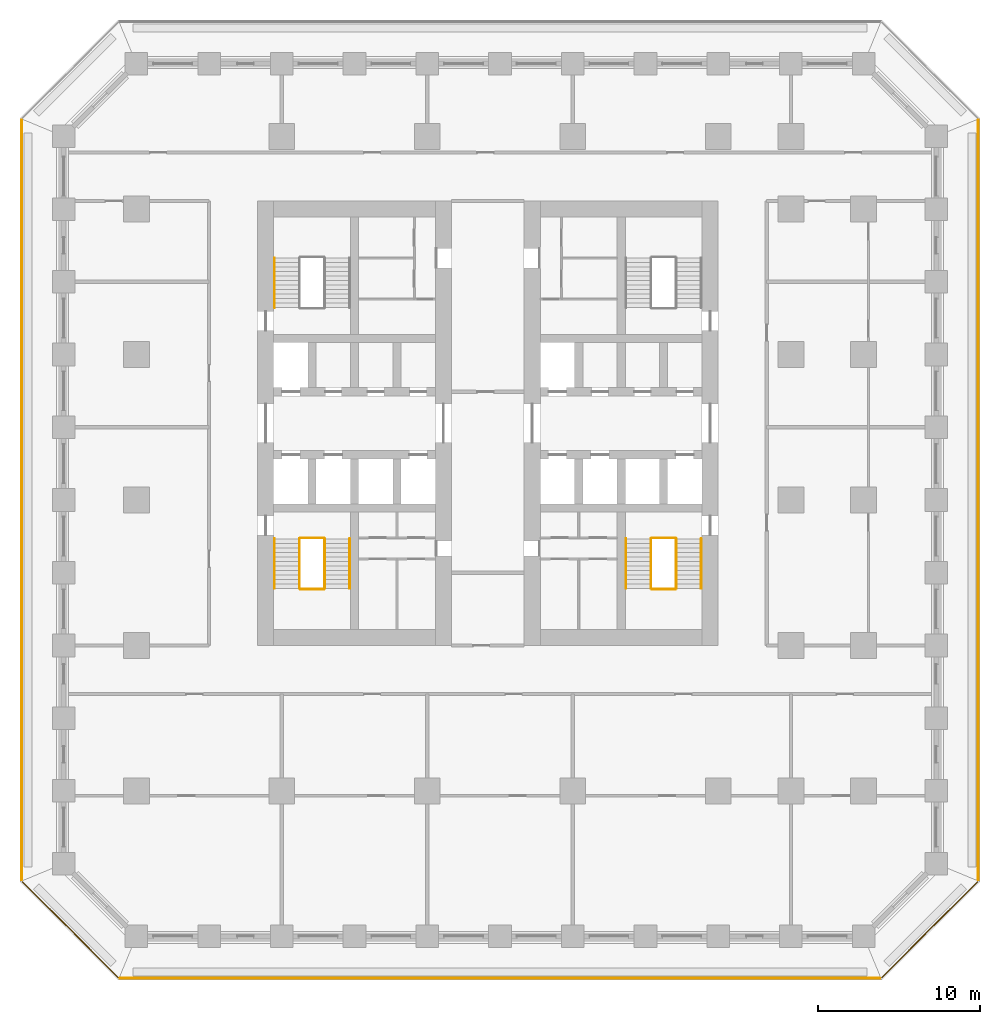
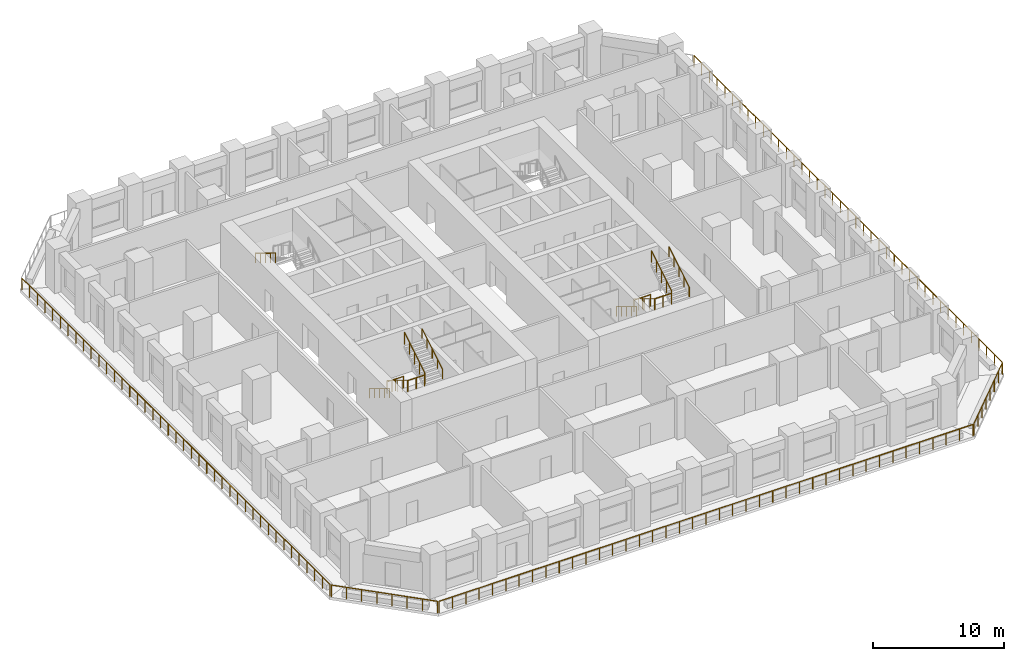
# One storey, part 9 of 11: 18 railings.
"""IFC4 building model written with IfcOpenShell, lengths in metres."""

import ifcopenshell
import ifcopenshell.guid

model = None  # the IFC model being written
_history = None  # IfcOwnerHistory: only IFC2X3 demands one
_inside = {}  # id of a spatial element -> (the spatial element, [elements in it])
_under = {}  # id of a project, library or spatial element -> (it, [spatial elements below it])
_declared = {}  # id of a project -> (the project, [libraries it declares])
_typed = {}  # id of a type object -> (the type object, [elements of that type])
_made_of = {}  # id of a material, layer set ... -> (it, [elements and type objects made of it])


def new_model(schema):
    """Start an empty IFC model of exactly this schema.

    Asked for "IFC4X3", IfcOpenShell would pick the latest addendum, in which some entities
    have other attributes; the version numbers below select the first issue.
    IFC2X3 requires an IfcOwnerHistory on every rooted entity: one is made here for all.
    """
    global model, _history
    if schema == "IFC4X3":
        model = ifcopenshell.file(schema_version=(4, 3, 0, 0))
    else:
        model = ifcopenshell.file(schema=schema)
    _inside.clear()
    _under.clear()
    _declared.clear()
    _typed.clear()
    _made_of.clear()
    _history = None
    if model.schema == "IFC2X3":
        org = make("IfcOrganization", Name="unknown")
        user = make(
            "IfcPersonAndOrganization",
            ThePerson=make("IfcPerson", FamilyName="unknown"),
            TheOrganization=org,
        )
        app = make(
            "IfcApplication",
            ApplicationDeveloper=org,
            Version="unknown",
            ApplicationFullName="unknown",
            ApplicationIdentifier="unknown",
        )
        _history = make(
            "IfcOwnerHistory",
            OwningUser=user,
            OwningApplication=app,
            ChangeAction="ADDED",
            CreationDate=0,
        )
    return model


def make(cls, **values):
    """One entity of the class cls with the attributes given. An attribute that is None is left unset."""
    return model.create_entity(
        cls, **{name: value for name, value in values.items() if value is not None}
    )


def rooted(cls, **values):
    """An entity with a GlobalId (a new one), such as an element, a storey or a relation."""
    return make(cls, GlobalId=ifcopenshell.guid.new(), OwnerHistory=_history, **values)


def si_unit(unit_type, name, prefix=None):
    """IfcSIUnit, for example si_unit("LENGTHUNIT", "METRE", prefix="MILLI")."""
    return make("IfcSIUnit", UnitType=unit_type, Prefix=prefix, Name=name)


def assignment(units):
    """IfcUnitAssignment: the units of a project."""
    return None if units is None else make("IfcUnitAssignment", Units=units)


def point(xyz):
    """IfcCartesianPoint."""
    return None if xyz is None else make("IfcCartesianPoint", Coordinates=xyz)


def direction(xyz):
    """IfcDirection."""
    return None if xyz is None else make("IfcDirection", DirectionRatios=xyz)


def frame(location, z_axis=None, x_axis=None):
    """IfcAxis2Placement3D, a coordinate frame: its origin and axes. An axis left out is left unset."""
    return make(
        "IfcAxis2Placement3D",
        Location=point(location),
        Axis=direction(z_axis),
        RefDirection=direction(x_axis),
    )


def frame_2d(location, x_axis=None):
    """IfcAxis2Placement2D, a coordinate frame in the plane: its origin and x axis."""
    return make(
        "IfcAxis2Placement2D", Location=point(location), RefDirection=direction(x_axis)
    )


def origin():
    """The frame at (0, 0, 0) with its axes left unset."""
    return frame((0.0, 0.0, 0.0))


def origin_2d():
    """The frame at (0, 0) in the plane with its x axis left unset."""
    return frame_2d((0.0, 0.0))


def place(relative_to, where):
    """IfcLocalPlacement: puts the frame where relative to a parent placement (None: the world)."""
    return make(
        "IfcLocalPlacement", PlacementRelTo=relative_to, RelativePlacement=where
    )


def context(
    kind, dimensions, precision=None, world=None, true_north=None, identifier=None
):
    """IfcGeometricRepresentationContext, for example the 3D "Model" context."""
    return make(
        "IfcGeometricRepresentationContext",
        ContextIdentifier=identifier,
        ContextType=kind,
        CoordinateSpaceDimension=dimensions,
        Precision=precision,
        WorldCoordinateSystem=world,
        TrueNorth=true_north,
    )


def subcontext(parent, identifier, kind, view, scale=None):
    """IfcGeometricRepresentationSubContext, for example "Body" below "Model"."""
    return make(
        "IfcGeometricRepresentationSubContext",
        ContextIdentifier=identifier,
        ContextType=kind,
        ParentContext=parent,
        TargetScale=scale,
        TargetView=view,
    )


def project(units=None, contexts=None):
    """IfcProject with its units and contexts."""
    return rooted(
        "IfcProject",
        Name="project",
        RepresentationContexts=contexts,
        UnitsInContext=assignment(units),
    )


def spatial(cls, under=None, at=None, **own):
    """A site, building, storey or space (cls), placed at a placement, below another one or the project."""
    s = rooted(cls, ObjectPlacement=at, **own)
    if under is not None:
        _under.setdefault(under.id(), (under, []))[1].append(s)
    return s


def profile(cls, at=None, kind="AREA", **sizes):
    """A parametric profile (cls). Its sizes go by their IFC names, for example OverallWidth=200.0."""
    return make(cls, ProfileType=kind, Position=at, **sizes)


def circle(**sizes):
    """IfcCircleProfileDef."""
    return profile("IfcCircleProfileDef", **sizes)


def extrude(swept, where, along, depth):
    """IfcExtrudedAreaSolid: the profile swept, set in the frame where, extruded along a direction by depth."""
    return make(
        "IfcExtrudedAreaSolid",
        SweptArea=swept,
        Position=where,
        ExtrudedDirection=direction(along),
        Depth=depth,
    )


def shape(context_of_items, identifier, shape_type, items):
    """IfcShapeRepresentation: the items that make up one representation, for example the "Body"."""
    return make(
        "IfcShapeRepresentation",
        ContextOfItems=context_of_items,
        RepresentationIdentifier=identifier,
        RepresentationType=shape_type,
        Items=items,
    )


def material(Name=None, Category=None):
    """IfcMaterial."""
    return make("IfcMaterial", Name=Name, Category=Category)


def made_of(thing, what):
    """Note that an element or type object is made of a material, layer set ...; save() writes the relation."""
    if what is not None:
        _made_of.setdefault(what.id(), (what, []))[1].append(thing)
    return thing


def type_object(cls, material=None, **own):
    """A type object (cls), such as IfcWallType, which elements share."""
    return made_of(rooted(cls, **own), material)


def element(
    cls,
    number,
    at=None,
    inside=None,
    cuts=None,
    type_object=None,
    material=None,
    context=None,
    identifier="Body",
    shape_type=None,
    held_by="IfcProductDefinitionShape",
    body=None,
    shapes=None,
    **own,
):
    """One element of the class cls, such as IfcWall. Its Tag is "e" and its number.

    at: its placement. inside: the storey or other place that contains it. cuts: it is an
    opening in that element (IfcRelVoidsElement). A single representation is given by context,
    identifier, shape_type and body (its items); several are given by shapes. held_by: the class
    of the entity that holds the representations. save() writes the other relations.
    """
    e = rooted(cls, Tag="e%d" % number, ObjectPlacement=at, **own)
    if body is not None:
        shapes = [shape(context, identifier, shape_type, body)]
    if shapes is not None:
        e.Representation = make(held_by, Representations=shapes)
    if inside is not None:
        _inside.setdefault(inside.id(), (inside, []))[1].append(e)
    if cuts is not None:
        rooted(
            "IfcRelVoidsElement", RelatingBuildingElement=cuts, RelatedOpeningElement=e
        )
    if type_object is not None:
        _typed.setdefault(type_object.id(), (type_object, []))[1].append(e)
    return made_of(e, material)


def aggregate(whole, parts):
    """IfcRelAggregates: a whole, such as a stair, and the parts it consists of."""
    return rooted("IfcRelAggregates", RelatingObject=whole, RelatedObjects=parts)


def save(model, path):
    """Write the relations noted so far, then the file.

    IfcRelAggregates (storeys below a building ...), IfcRelContainedInSpatialStructure (elements
    in a storey), IfcRelDefinesByType, IfcRelAssociatesMaterial and IfcRelDeclares: one each for
    every whole, place, type object, material and project.
    """
    for whole, parts in _under.values():
        aggregate(whole, parts)
    for where, things in _inside.values():
        rooted(
            "IfcRelContainedInSpatialStructure",
            RelatedElements=things,
            RelatingStructure=where,
        )
    for kind, things in _typed.values():
        rooted("IfcRelDefinesByType", RelatedObjects=things, RelatingType=kind)
    for what, things in _made_of.values():
        rooted("IfcRelAssociatesMaterial", RelatedObjects=things, RelatingMaterial=what)
    for by, libraries in _declared.values():
        rooted("IfcRelDeclares", RelatingContext=by, RelatedDefinitions=libraries)
    model.write(path)


model = new_model("IFC4")

# Units and contexts
model_context = context("Model", 3, precision=1e-05, world=origin(), true_north=direction((0.0, 1.0)))
body_context = subcontext(model_context, "Body", "Model", "MODEL_VIEW")
ifc_project = project(units=[si_unit("LENGTHUNIT", "METRE"), si_unit("AREAUNIT", "SQUARE_METRE"), si_unit("VOLUMEUNIT", "CUBIC_METRE"), si_unit("PLANEANGLEUNIT", "RADIAN"), si_unit("MASSUNIT", "GRAM", prefix="KILO")], contexts=[model_context])

# Site, building, storey
site_placement = place(None, origin())
site = spatial("IfcSite", under=ifc_project, at=site_placement, CompositionType="ELEMENT")
building_placement = place(site_placement, origin())
building = spatial("IfcBuilding", under=site, at=building_placement, Name="Corbel Stack Research Tower", CompositionType="ELEMENT")
storey_placement = place(building_placement, frame((0.0, 0.0, 62.39990234375)))
storey = spatial("IfcBuildingStorey", under=building, at=storey_placement, Name="L14", CompositionType="ELEMENT", Elevation=62.39990234375)

# Railings
ifc_material_1 = material(Name="Steel S355", Category="steel")
railing_type_1 = type_object("IfcRailingType", Name="Stair guard 1100", PredefinedType="GUARDRAIL", material=ifc_material_1)
railing_1_placement = place(storey_placement, frame((-7.89990234375, -2.39990234375, 0.1708984375)))
element("IfcRailing", 1, at=railing_1_placement, inside=storey, type_object=railing_type_1, Name="L14 ST-W1 stair guard 1", PredefinedType="GUARDRAIL", context=body_context, shape_type="SweptSolid", body=[
    extrude(circle(Radius=0.02392578125, at=origin_2d()), frame((0.0, 0.0, 1.076171875), z_axis=(0.0, -0.853666305674, 0.52082035152), x_axis=(1.0, 0.0, 0.0)), (0.0, 0.0, 1.0), 3.608154296875),
    extrude(circle(Radius=0.02099609375, at=origin_2d()), origin(), (0.0, 0.0, 1.0), 1.052001953125),
    extrude(circle(Radius=0.02099609375, at=origin_2d()), frame((0.0, -0.77001953125, 0.4697265625)), (0.0, 0.0, 1.0), 1.052001953125),
    extrude(circle(Radius=0.02099609375, at=origin_2d()), frame((0.0, -1.5400390625, 0.939453125)), (0.0, 0.0, 1.0), 1.052001953125),
    extrude(circle(Radius=0.02099609375, at=origin_2d()), frame((0.0, -2.31005859375, 1.409423828125)), (0.0, 0.0, 1.0), 1.052001953125),
    extrude(circle(Radius=0.02099609375, at=origin_2d()), frame((0.0, -3.080078125, 1.879150390625)), (0.0, 0.0, 1.0), 1.052001953125),
])
railing_2_placement = place(storey_placement, frame((-7.85009765625, -5.530029296875, 2.050048828125)))
element("IfcRailing", 2, at=railing_2_placement, inside=storey, type_object=railing_type_1, Name="L14 ST-W1 stair guard 2", PredefinedType="GUARDRAIL", context=body_context, shape_type="SweptSolid", body=[
    extrude(circle(Radius=0.02392578125, at=origin_2d()), frame((0.0, 0.0, 1.076171875), z_axis=(1.0, 0.0, 0.0), x_axis=(0.0, 1.0, 0.0)), (0.0, 0.0, 1.0), 1.4501953125),
    extrude(circle(Radius=0.02099609375, at=origin_2d()), origin(), (0.0, 0.0, 1.0), 1.052001953125),
    extrude(circle(Radius=0.02099609375, at=origin_2d()), frame((0.72509765625, 0.0, 0.0)), (0.0, 0.0, 1.0), 1.052001953125),
    extrude(circle(Radius=0.02099609375, at=origin_2d()), frame((1.4501953125, 0.0, 0.0)), (0.0, 0.0, 1.0), 1.052001953125),
])
railing_3_placement = place(storey_placement, frame((-6.35009765625, -5.47998046875, 2.220947265625)))
element("IfcRailing", 3, at=railing_3_placement, inside=storey, type_object=railing_type_1, Name="L14 ST-W1 stair guard 3", PredefinedType="GUARDRAIL", context=body_context, shape_type="SweptSolid", body=[
    extrude(circle(Radius=0.02392578125, at=origin_2d()), frame((0.0, 0.0, 1.076171875), z_axis=(0.0, 0.853666305674, 0.52082035152), x_axis=(-1.0, 0.0, 0.0)), (0.0, 0.0, 1.0), 3.608154296875),
    extrude(circle(Radius=0.02099609375, at=origin_2d()), origin(), (0.0, 0.0, 1.0), 1.052001953125),
    extrude(circle(Radius=0.02099609375, at=origin_2d()), frame((0.0, 0.77001953125, 0.4697265625)), (0.0, 0.0, 1.0), 1.052001953125),
    extrude(circle(Radius=0.02099609375, at=origin_2d()), frame((0.0, 1.5400390625, 0.939453125)), (0.0, 0.0, 1.0), 1.052001953125),
    extrude(circle(Radius=0.02099609375, at=origin_2d()), frame((0.0, 2.31005859375, 1.409423828125)), (0.0, 0.0, 1.0), 1.052001953125),
    extrude(circle(Radius=0.02099609375, at=origin_2d()), frame((0.0, 3.080078125, 1.879150390625)), (0.0, 0.0, 1.0), 1.052001953125),
])
railing_4_placement = place(storey_placement, frame((-7.85009765625, -2.35009765625, 0.0)))
element("IfcRailing", 4, at=railing_4_placement, inside=storey, type_object=railing_type_1, Name="L14 ST-W1 stair guard 4", PredefinedType="GUARDRAIL", context=body_context, shape_type="SweptSolid", body=[
    extrude(circle(Radius=0.02392578125, at=origin_2d()), frame((0.0, 0.0, 1.076171875), z_axis=(1.0, 0.0, 0.0), x_axis=(0.0, 1.0, 0.0)), (0.0, 0.0, 1.0), 1.4501953125),
    extrude(circle(Radius=0.02099609375, at=origin_2d()), origin(), (0.0, 0.0, 1.0), 1.052001953125),
    extrude(circle(Radius=0.02099609375, at=origin_2d()), frame((0.72509765625, 0.0, 0.0)), (0.0, 0.0, 1.0), 1.052001953125),
    extrude(circle(Radius=0.02099609375, at=origin_2d()), frame((1.4501953125, 0.0, 0.0)), (0.0, 0.0, 1.0), 1.052001953125),
])
railing_5_placement = place(storey_placement, frame((13.85009765625, -2.39990234375, 0.1708984375)))
element("IfcRailing", 5, at=railing_5_placement, inside=storey, type_object=railing_type_1, Name="L14 ST-E1 stair guard 1", PredefinedType="GUARDRAIL", context=body_context, shape_type="SweptSolid", body=[
    extrude(circle(Radius=0.02392578125, at=origin_2d()), frame((0.0, 0.0, 1.076171875), z_axis=(0.0, -0.853666305674, 0.52082035152), x_axis=(1.0, 0.0, 0.0)), (0.0, 0.0, 1.0), 3.608154296875),
    extrude(circle(Radius=0.02099609375, at=origin_2d()), origin(), (0.0, 0.0, 1.0), 1.052001953125),
    extrude(circle(Radius=0.02099609375, at=origin_2d()), frame((0.0, -0.77001953125, 0.4697265625)), (0.0, 0.0, 1.0), 1.052001953125),
    extrude(circle(Radius=0.02099609375, at=origin_2d()), frame((0.0, -1.5400390625, 0.939453125)), (0.0, 0.0, 1.0), 1.052001953125),
    extrude(circle(Radius=0.02099609375, at=origin_2d()), frame((0.0, -2.31005859375, 1.409423828125)), (0.0, 0.0, 1.0), 1.052001953125),
    extrude(circle(Radius=0.02099609375, at=origin_2d()), frame((0.0, -3.080078125, 1.879150390625)), (0.0, 0.0, 1.0), 1.052001953125),
])
railing_6_placement = place(storey_placement, frame((13.89990234375, -5.530029296875, 2.050048828125)))
element("IfcRailing", 6, at=railing_6_placement, inside=storey, type_object=railing_type_1, Name="L14 ST-E1 stair guard 2", PredefinedType="GUARDRAIL", context=body_context, shape_type="SweptSolid", body=[
    extrude(circle(Radius=0.02392578125, at=origin_2d()), frame((0.0, 0.0, 1.076171875), z_axis=(1.0, 0.0, 0.0), x_axis=(0.0, 1.0, 0.0)), (0.0, 0.0, 1.0), 1.4501953125),
    extrude(circle(Radius=0.02099609375, at=origin_2d()), origin(), (0.0, 0.0, 1.0), 1.052001953125),
    extrude(circle(Radius=0.02099609375, at=origin_2d()), frame((0.72509765625, 0.0, 0.0)), (0.0, 0.0, 1.0), 1.052001953125),
    extrude(circle(Radius=0.02099609375, at=origin_2d()), frame((1.4501953125, 0.0, 0.0)), (0.0, 0.0, 1.0), 1.052001953125),
])
railing_7_placement = place(storey_placement, frame((15.39990234375, -5.47998046875, 2.220947265625)))
element("IfcRailing", 7, at=railing_7_placement, inside=storey, type_object=railing_type_1, Name="L14 ST-E1 stair guard 3", PredefinedType="GUARDRAIL", context=body_context, shape_type="SweptSolid", body=[
    extrude(circle(Radius=0.02392578125, at=origin_2d()), frame((0.0, 0.0, 1.076171875), z_axis=(0.0, 0.853666305674, 0.52082035152), x_axis=(-1.0, 0.0, 0.0)), (0.0, 0.0, 1.0), 3.608154296875),
    extrude(circle(Radius=0.02099609375, at=origin_2d()), origin(), (0.0, 0.0, 1.0), 1.052001953125),
    extrude(circle(Radius=0.02099609375, at=origin_2d()), frame((0.0, 0.77001953125, 0.4697265625)), (0.0, 0.0, 1.0), 1.052001953125),
    extrude(circle(Radius=0.02099609375, at=origin_2d()), frame((0.0, 1.5400390625, 0.939453125)), (0.0, 0.0, 1.0), 1.052001953125),
    extrude(circle(Radius=0.02099609375, at=origin_2d()), frame((0.0, 2.31005859375, 1.409423828125)), (0.0, 0.0, 1.0), 1.052001953125),
    extrude(circle(Radius=0.02099609375, at=origin_2d()), frame((0.0, 3.080078125, 1.879150390625)), (0.0, 0.0, 1.0), 1.052001953125),
])
railing_8_placement = place(storey_placement, frame((13.89990234375, -2.35009765625, 0.0)))
element("IfcRailing", 8, at=railing_8_placement, inside=storey, type_object=railing_type_1, Name="L14 ST-E1 stair guard 4", PredefinedType="GUARDRAIL", context=body_context, shape_type="SweptSolid", body=[
    extrude(circle(Radius=0.02392578125, at=origin_2d()), frame((0.0, 0.0, 1.076171875), z_axis=(1.0, 0.0, 0.0), x_axis=(0.0, 1.0, 0.0)), (0.0, 0.0, 1.0), 1.4501953125),
    extrude(circle(Radius=0.02099609375, at=origin_2d()), origin(), (0.0, 0.0, 1.0), 1.052001953125),
    extrude(circle(Radius=0.02099609375, at=origin_2d()), frame((0.72509765625, 0.0, 0.0)), (0.0, 0.0, 1.0), 1.052001953125),
    extrude(circle(Radius=0.02099609375, at=origin_2d()), frame((1.4501953125, 0.0, 0.0)), (0.0, 0.0, 1.0), 1.052001953125),
])
ifc_material_2 = material(Name="Steel S355", Category="steel")
railing_type_2 = type_object("IfcRailingType", Name="Stair handrail 900", PredefinedType="HANDRAIL", material=ifc_material_2)
railing_9_placement = place(storey_placement, frame((-9.449951171875, -2.39990234375, 0.1708984375)))
element("IfcRailing", 9, at=railing_9_placement, inside=storey, type_object=railing_type_2, Name="L14 ST-W1 stair handrail 1", PredefinedType="HANDRAIL", context=body_context, shape_type="SweptSolid", body=[
    extrude(circle(Radius=0.02392578125, at=origin_2d()), frame((0.0, 0.0, 0.8759765625), z_axis=(0.0, -0.853666305674, 0.52082035152), x_axis=(1.0, 0.0, 0.0)), (0.0, 0.0, 1.0), 3.608154296875),
    extrude(circle(Radius=0.02099609375, at=origin_2d()), origin(), (0.0, 0.0, 1.0), 0.851806640625),
    extrude(circle(Radius=0.02099609375, at=origin_2d()), frame((0.0, -0.77001953125, 0.4697265625)), (0.0, 0.0, 1.0), 0.851806640625),
    extrude(circle(Radius=0.02099609375, at=origin_2d()), frame((0.0, -1.5400390625, 0.939453125)), (0.0, 0.0, 1.0), 0.851806640625),
    extrude(circle(Radius=0.02099609375, at=origin_2d()), frame((0.0, -2.31005859375, 1.409423828125)), (0.0, 0.0, 1.0), 0.851806640625),
    extrude(circle(Radius=0.02099609375, at=origin_2d()), frame((0.0, -3.080078125, 1.879150390625)), (0.0, 0.0, 1.0), 0.851806640625),
])
railing_10_placement = place(storey_placement, frame((-4.800048828125, -5.47998046875, 2.220947265625)))
element("IfcRailing", 10, at=railing_10_placement, inside=storey, type_object=railing_type_2, Name="L14 ST-W1 stair handrail 2", PredefinedType="HANDRAIL", context=body_context, shape_type="SweptSolid", body=[
    extrude(circle(Radius=0.02392578125, at=origin_2d()), frame((0.0, 0.0, 0.8759765625), z_axis=(0.0, 0.853666305674, 0.52082035152), x_axis=(-1.0, 0.0, 0.0)), (0.0, 0.0, 1.0), 3.608154296875),
    extrude(circle(Radius=0.02099609375, at=origin_2d()), origin(), (0.0, 0.0, 1.0), 0.851806640625),
    extrude(circle(Radius=0.02099609375, at=origin_2d()), frame((0.0, 0.77001953125, 0.4697265625)), (0.0, 0.0, 1.0), 0.851806640625),
    extrude(circle(Radius=0.02099609375, at=origin_2d()), frame((0.0, 1.5400390625, 0.939453125)), (0.0, 0.0, 1.0), 0.851806640625),
    extrude(circle(Radius=0.02099609375, at=origin_2d()), frame((0.0, 2.31005859375, 1.409423828125)), (0.0, 0.0, 1.0), 0.851806640625),
    extrude(circle(Radius=0.02099609375, at=origin_2d()), frame((0.0, 3.080078125, 1.879150390625)), (0.0, 0.0, 1.0), 0.851806640625),
])
for number, where, name in (
    (11, (-9.449951171875, 14.97998046875, 2.220947265625), "L14 ST-W2 stair handrail 2"),
    (12, (12.300048828125, -2.39990234375, 0.1708984375), "L14 ST-E1 stair handrail 1"),
):
    element("IfcRailing", number, at=place(storey_placement, frame(where)), inside=storey, type_object=railing_type_2, Name=name, PredefinedType="HANDRAIL", context=body_context, shape_type="SweptSolid", body=[
        extrude(circle(Radius=0.02392578125, at=origin_2d()), frame((0.0, 0.0, 0.8759765625), z_axis=(0.0, -0.853666305674, 0.52082035152), x_axis=(1.0, 0.0, 0.0)), (0.0, 0.0, 1.0), 3.608154296875),
        extrude(circle(Radius=0.02099609375, at=origin_2d()), origin(), (0.0, 0.0, 1.0), 0.851806640625),
        extrude(circle(Radius=0.02099609375, at=origin_2d()), frame((0.0, -0.77001953125, 0.4697265625)), (0.0, 0.0, 1.0), 0.851806640625),
        extrude(circle(Radius=0.02099609375, at=origin_2d()), frame((0.0, -1.5400390625, 0.939453125)), (0.0, 0.0, 1.0), 0.851806640625),
        extrude(circle(Radius=0.02099609375, at=origin_2d()), frame((0.0, -2.31005859375, 1.409423828125)), (0.0, 0.0, 1.0), 0.851806640625),
        extrude(circle(Radius=0.02099609375, at=origin_2d()), frame((0.0, -3.080078125, 1.879150390625)), (0.0, 0.0, 1.0), 0.851806640625),
    ])
railing_11_placement = place(storey_placement, frame((16.949951171875, -5.47998046875, 2.220947265625)))
element("IfcRailing", 13, at=railing_11_placement, inside=storey, type_object=railing_type_2, Name="L14 ST-E1 stair handrail 2", PredefinedType="HANDRAIL", context=body_context, shape_type="SweptSolid", body=[
    extrude(circle(Radius=0.02392578125, at=origin_2d()), frame((0.0, 0.0, 0.8759765625), z_axis=(0.0, 0.853666305674, 0.52082035152), x_axis=(-1.0, 0.0, 0.0)), (0.0, 0.0, 1.0), 3.608154296875),
    extrude(circle(Radius=0.02099609375, at=origin_2d()), origin(), (0.0, 0.0, 1.0), 0.851806640625),
    extrude(circle(Radius=0.02099609375, at=origin_2d()), frame((0.0, 0.77001953125, 0.4697265625)), (0.0, 0.0, 1.0), 0.851806640625),
    extrude(circle(Radius=0.02099609375, at=origin_2d()), frame((0.0, 1.5400390625, 0.939453125)), (0.0, 0.0, 1.0), 0.851806640625),
    extrude(circle(Radius=0.02099609375, at=origin_2d()), frame((0.0, 2.31005859375, 1.409423828125)), (0.0, 0.0, 1.0), 0.851806640625),
    extrude(circle(Radius=0.02099609375, at=origin_2d()), frame((0.0, 3.080078125, 1.879150390625)), (0.0, 0.0, 1.0), 0.851806640625),
])
ifc_material_3 = material(Name="Powder-coated steel guard", Category="steel")
railing_type_3 = type_object("IfcRailingType", Name="Steel and glass guard 1100", PredefinedType="GUARDRAIL", material=ifc_material_3)
railing_12_placement = place(storey_placement, frame((-19.00537109375, -29.60009765625, 0.0)))
element("IfcRailing", 14, at=railing_12_placement, inside=storey, type_object=railing_type_3, Name="Loggia guard L14 S", PredefinedType="GUARDRAIL", context=body_context, shape_type="SweptSolid", body=[
    extrude(circle(Radius=0.02392578125, at=origin_2d()), frame((0.0, 0.0, 1.076171875), z_axis=(1.0, 0.0, 0.0), x_axis=(0.0, 1.0, 0.0)), (0.0, 0.0, 1.0), 47.0107421875),
    extrude(circle(Radius=0.02099609375, at=origin_2d()), origin(), (0.0, 0.0, 1.0), 1.052001953125),
    extrude(circle(Radius=0.02099609375, at=origin_2d()), frame((1.17529296875, 0.0, 0.0)), (0.0, 0.0, 1.0), 1.052001953125),
    extrude(circle(Radius=0.02099609375, at=origin_2d()), frame((2.3505859375, 0.0, 0.0)), (0.0, 0.0, 1.0), 1.052001953125),
    extrude(circle(Radius=0.02099609375, at=origin_2d()), frame((3.52587890625, 0.0, 0.0)), (0.0, 0.0, 1.0), 1.052001953125),
    extrude(circle(Radius=0.02099609375, at=origin_2d()), frame((4.701171875, 0.0, 0.0)), (0.0, 0.0, 1.0), 1.052001953125),
    extrude(circle(Radius=0.02099609375, at=origin_2d()), frame((5.87646484375, 0.0, 0.0)), (0.0, 0.0, 1.0), 1.052001953125),
    extrude(circle(Radius=0.02099609375, at=origin_2d()), frame((7.051513671875, 0.0, 0.0)), (0.0, 0.0, 1.0), 1.052001953125),
    extrude(circle(Radius=0.02099609375, at=origin_2d()), frame((8.226806640625, 0.0, 0.0)), (0.0, 0.0, 1.0), 1.052001953125),
    extrude(circle(Radius=0.02099609375, at=origin_2d()), frame((9.402099609375, 0.0, 0.0)), (0.0, 0.0, 1.0), 1.052001953125),
    extrude(circle(Radius=0.02099609375, at=origin_2d()), frame((10.577392578125, 0.0, 0.0)), (0.0, 0.0, 1.0), 1.052001953125),
    extrude(circle(Radius=0.02099609375, at=origin_2d()), frame((11.752685546875, 0.0, 0.0)), (0.0, 0.0, 1.0), 1.052001953125),
    extrude(circle(Radius=0.02099609375, at=origin_2d()), frame((12.927978515625, 0.0, 0.0)), (0.0, 0.0, 1.0), 1.052001953125),
    extrude(circle(Radius=0.02099609375, at=origin_2d()), frame((14.103271484375, 0.0, 0.0)), (0.0, 0.0, 1.0), 1.052001953125),
    extrude(circle(Radius=0.02099609375, at=origin_2d()), frame((15.278564453125, 0.0, 0.0)), (0.0, 0.0, 1.0), 1.052001953125),
    extrude(circle(Radius=0.02099609375, at=origin_2d()), frame((16.453857421875, 0.0, 0.0)), (0.0, 0.0, 1.0), 1.052001953125),
    extrude(circle(Radius=0.02099609375, at=origin_2d()), frame((17.62890625, 0.0, 0.0)), (0.0, 0.0, 1.0), 1.052001953125),
    extrude(circle(Radius=0.02099609375, at=origin_2d()), frame((18.80419921875, 0.0, 0.0)), (0.0, 0.0, 1.0), 1.052001953125),
    extrude(circle(Radius=0.02099609375, at=origin_2d()), frame((19.9794921875, 0.0, 0.0)), (0.0, 0.0, 1.0), 1.052001953125),
    extrude(circle(Radius=0.02099609375, at=origin_2d()), frame((21.15478515625, 0.0, 0.0)), (0.0, 0.0, 1.0), 1.052001953125),
    extrude(circle(Radius=0.02099609375, at=origin_2d()), frame((22.330078125, 0.0, 0.0)), (0.0, 0.0, 1.0), 1.052001953125),
    extrude(circle(Radius=0.02099609375, at=origin_2d()), frame((23.50537109375, 0.0, 0.0)), (0.0, 0.0, 1.0), 1.052001953125),
    extrude(circle(Radius=0.02099609375, at=origin_2d()), frame((24.6806640625, 0.0, 0.0)), (0.0, 0.0, 1.0), 1.052001953125),
    extrude(circle(Radius=0.02099609375, at=origin_2d()), frame((25.85595703125, 0.0, 0.0)), (0.0, 0.0, 1.0), 1.052001953125),
    extrude(circle(Radius=0.02099609375, at=origin_2d()), frame((27.03125, 0.0, 0.0)), (0.0, 0.0, 1.0), 1.052001953125),
    extrude(circle(Radius=0.02099609375, at=origin_2d()), frame((28.20654296875, 0.0, 0.0)), (0.0, 0.0, 1.0), 1.052001953125),
    extrude(circle(Radius=0.02099609375, at=origin_2d()), frame((29.3818359375, 0.0, 0.0)), (0.0, 0.0, 1.0), 1.052001953125),
    extrude(circle(Radius=0.02099609375, at=origin_2d()), frame((30.556884765625, 0.0, 0.0)), (0.0, 0.0, 1.0), 1.052001953125),
    extrude(circle(Radius=0.02099609375, at=origin_2d()), frame((31.732177734375, 0.0, 0.0)), (0.0, 0.0, 1.0), 1.052001953125),
    extrude(circle(Radius=0.02099609375, at=origin_2d()), frame((32.907470703125, 0.0, 0.0)), (0.0, 0.0, 1.0), 1.052001953125),
    extrude(circle(Radius=0.02099609375, at=origin_2d()), frame((34.082763671875, 0.0, 0.0)), (0.0, 0.0, 1.0), 1.052001953125),
    extrude(circle(Radius=0.02099609375, at=origin_2d()), frame((35.258056640625, 0.0, 0.0)), (0.0, 0.0, 1.0), 1.052001953125),
    extrude(circle(Radius=0.02099609375, at=origin_2d()), frame((36.433349609375, 0.0, 0.0)), (0.0, 0.0, 1.0), 1.052001953125),
    extrude(circle(Radius=0.02099609375, at=origin_2d()), frame((37.608642578125, 0.0, 0.0)), (0.0, 0.0, 1.0), 1.052001953125),
    extrude(circle(Radius=0.02099609375, at=origin_2d()), frame((38.783935546875, 0.0, 0.0)), (0.0, 0.0, 1.0), 1.052001953125),
    extrude(circle(Radius=0.02099609375, at=origin_2d()), frame((39.959228515625, 0.0, 0.0)), (0.0, 0.0, 1.0), 1.052001953125),
    extrude(circle(Radius=0.02099609375, at=origin_2d()), frame((41.13427734375, 0.0, 0.0)), (0.0, 0.0, 1.0), 1.052001953125),
    extrude(circle(Radius=0.02099609375, at=origin_2d()), frame((42.3095703125, 0.0, 0.0)), (0.0, 0.0, 1.0), 1.052001953125),
    extrude(circle(Radius=0.02099609375, at=origin_2d()), frame((43.48486328125, 0.0, 0.0)), (0.0, 0.0, 1.0), 1.052001953125),
    extrude(circle(Radius=0.02099609375, at=origin_2d()), frame((44.66015625, 0.0, 0.0)), (0.0, 0.0, 1.0), 1.052001953125),
    extrude(circle(Radius=0.02099609375, at=origin_2d()), frame((45.83544921875, 0.0, 0.0)), (0.0, 0.0, 1.0), 1.052001953125),
    extrude(circle(Radius=0.02099609375, at=origin_2d()), frame((47.0107421875, 0.0, 0.0)), (0.0, 0.0, 1.0), 1.052001953125),
])
railing_13_placement = place(storey_placement, frame((28.127685546875, -29.54931640625, 0.0)))
element("IfcRailing", 15, at=railing_13_placement, inside=storey, type_object=railing_type_3, Name="Loggia guard L14 SE", PredefinedType="GUARDRAIL", context=body_context, shape_type="SweptSolid", body=[
    extrude(circle(Radius=0.02392578125, at=origin_2d()), frame((0.0, 0.0, 1.076171875), z_axis=(0.707106781187, 0.707106781187, 0.0), x_axis=(-0.707106781187, 0.707106781187, 0.0)), (0.0, 0.0, 1.0), 8.37451171875),
    extrude(circle(Radius=0.02099609375, at=origin_2d()), origin(), (0.0, 0.0, 1.0), 1.052001953125),
    extrude(circle(Radius=0.02099609375, at=origin_2d()), frame((0.845947265625, 0.845947265625, 0.0)), (0.0, 0.0, 1.0), 1.052001953125),
    extrude(circle(Radius=0.02099609375, at=origin_2d()), frame((1.69189453125, 1.69189453125, 0.0)), (0.0, 0.0, 1.0), 1.052001953125),
    extrude(circle(Radius=0.02099609375, at=origin_2d()), frame((2.537841796875, 2.537841796875, 0.0)), (0.0, 0.0, 1.0), 1.052001953125),
    extrude(circle(Radius=0.02099609375, at=origin_2d()), frame((3.3837890625, 3.3837890625, 0.0)), (0.0, 0.0, 1.0), 1.052001953125),
    extrude(circle(Radius=0.02099609375, at=origin_2d()), frame((4.229736328125, 4.229736328125, 0.0)), (0.0, 0.0, 1.0), 1.052001953125),
    extrude(circle(Radius=0.02099609375, at=origin_2d()), frame((5.07568359375, 5.07568359375, 0.0)), (0.0, 0.0, 1.0), 1.052001953125),
    extrude(circle(Radius=0.02099609375, at=origin_2d()), frame((5.921630859375, 5.921630859375, 0.0)), (0.0, 0.0, 1.0), 1.052001953125),
])
railing_14_placement = place(storey_placement, frame((34.10009765625, -23.50537109375, 0.0)))
element("IfcRailing", 16, at=railing_14_placement, inside=storey, type_object=railing_type_3, Name="Loggia guard L14 E", PredefinedType="GUARDRAIL", context=body_context, shape_type="SweptSolid", body=[
    extrude(circle(Radius=0.02392578125, at=origin_2d()), frame((0.0, 0.0, 1.076171875), z_axis=(0.0, 1.0, 0.0), x_axis=(-1.0, 0.0, 0.0)), (0.0, 0.0, 1.0), 47.0107421875),
    extrude(circle(Radius=0.02099609375, at=origin_2d()), origin(), (0.0, 0.0, 1.0), 1.052001953125),
    extrude(circle(Radius=0.02099609375, at=origin_2d()), frame((0.0, 1.17529296875, 0.0)), (0.0, 0.0, 1.0), 1.052001953125),
    extrude(circle(Radius=0.02099609375, at=origin_2d()), frame((0.0, 2.3505859375, 0.0)), (0.0, 0.0, 1.0), 1.052001953125),
    extrude(circle(Radius=0.02099609375, at=origin_2d()), frame((0.0, 3.52587890625, 0.0)), (0.0, 0.0, 1.0), 1.052001953125),
    extrude(circle(Radius=0.02099609375, at=origin_2d()), frame((0.0, 4.701171875, 0.0)), (0.0, 0.0, 1.0), 1.052001953125),
    extrude(circle(Radius=0.02099609375, at=origin_2d()), frame((0.0, 5.87646484375, 0.0)), (0.0, 0.0, 1.0), 1.052001953125),
    extrude(circle(Radius=0.02099609375, at=origin_2d()), frame((0.0, 7.051513671875, 0.0)), (0.0, 0.0, 1.0), 1.052001953125),
    extrude(circle(Radius=0.02099609375, at=origin_2d()), frame((0.0, 8.226806640625, 0.0)), (0.0, 0.0, 1.0), 1.052001953125),
    extrude(circle(Radius=0.02099609375, at=origin_2d()), frame((0.0, 9.402099609375, 0.0)), (0.0, 0.0, 1.0), 1.052001953125),
    extrude(circle(Radius=0.02099609375, at=origin_2d()), frame((0.0, 10.577392578125, 0.0)), (0.0, 0.0, 1.0), 1.052001953125),
    extrude(circle(Radius=0.02099609375, at=origin_2d()), frame((0.0, 11.752685546875, 0.0)), (0.0, 0.0, 1.0), 1.052001953125),
    extrude(circle(Radius=0.02099609375, at=origin_2d()), frame((0.0, 12.927978515625, 0.0)), (0.0, 0.0, 1.0), 1.052001953125),
    extrude(circle(Radius=0.02099609375, at=origin_2d()), frame((0.0, 14.103271484375, 0.0)), (0.0, 0.0, 1.0), 1.052001953125),
    extrude(circle(Radius=0.02099609375, at=origin_2d()), frame((0.0, 15.278564453125, 0.0)), (0.0, 0.0, 1.0), 1.052001953125),
    extrude(circle(Radius=0.02099609375, at=origin_2d()), frame((0.0, 16.453857421875, 0.0)), (0.0, 0.0, 1.0), 1.052001953125),
    extrude(circle(Radius=0.02099609375, at=origin_2d()), frame((0.0, 17.62890625, 0.0)), (0.0, 0.0, 1.0), 1.052001953125),
    extrude(circle(Radius=0.02099609375, at=origin_2d()), frame((0.0, 18.80419921875, 0.0)), (0.0, 0.0, 1.0), 1.052001953125),
    extrude(circle(Radius=0.02099609375, at=origin_2d()), frame((0.0, 19.9794921875, 0.0)), (0.0, 0.0, 1.0), 1.052001953125),
    extrude(circle(Radius=0.02099609375, at=origin_2d()), frame((0.0, 21.15478515625, 0.0)), (0.0, 0.0, 1.0), 1.052001953125),
    extrude(circle(Radius=0.02099609375, at=origin_2d()), frame((0.0, 22.330078125, 0.0)), (0.0, 0.0, 1.0), 1.052001953125),
    extrude(circle(Radius=0.02099609375, at=origin_2d()), frame((0.0, 23.50537109375, 0.0)), (0.0, 0.0, 1.0), 1.052001953125),
    extrude(circle(Radius=0.02099609375, at=origin_2d()), frame((0.0, 24.6806640625, 0.0)), (0.0, 0.0, 1.0), 1.052001953125),
    extrude(circle(Radius=0.02099609375, at=origin_2d()), frame((0.0, 25.85595703125, 0.0)), (0.0, 0.0, 1.0), 1.052001953125),
    extrude(circle(Radius=0.02099609375, at=origin_2d()), frame((0.0, 27.03125, 0.0)), (0.0, 0.0, 1.0), 1.052001953125),
    extrude(circle(Radius=0.02099609375, at=origin_2d()), frame((0.0, 28.20654296875, 0.0)), (0.0, 0.0, 1.0), 1.052001953125),
    extrude(circle(Radius=0.02099609375, at=origin_2d()), frame((0.0, 29.3818359375, 0.0)), (0.0, 0.0, 1.0), 1.052001953125),
    extrude(circle(Radius=0.02099609375, at=origin_2d()), frame((0.0, 30.556884765625, 0.0)), (0.0, 0.0, 1.0), 1.052001953125),
    extrude(circle(Radius=0.02099609375, at=origin_2d()), frame((0.0, 31.732177734375, 0.0)), (0.0, 0.0, 1.0), 1.052001953125),
    extrude(circle(Radius=0.02099609375, at=origin_2d()), frame((0.0, 32.907470703125, 0.0)), (0.0, 0.0, 1.0), 1.052001953125),
    extrude(circle(Radius=0.02099609375, at=origin_2d()), frame((0.0, 34.082763671875, 0.0)), (0.0, 0.0, 1.0), 1.052001953125),
    extrude(circle(Radius=0.02099609375, at=origin_2d()), frame((0.0, 35.258056640625, 0.0)), (0.0, 0.0, 1.0), 1.052001953125),
    extrude(circle(Radius=0.02099609375, at=origin_2d()), frame((0.0, 36.433349609375, 0.0)), (0.0, 0.0, 1.0), 1.052001953125),
    extrude(circle(Radius=0.02099609375, at=origin_2d()), frame((0.0, 37.608642578125, 0.0)), (0.0, 0.0, 1.0), 1.052001953125),
    extrude(circle(Radius=0.02099609375, at=origin_2d()), frame((0.0, 38.783935546875, 0.0)), (0.0, 0.0, 1.0), 1.052001953125),
    extrude(circle(Radius=0.02099609375, at=origin_2d()), frame((0.0, 39.959228515625, 0.0)), (0.0, 0.0, 1.0), 1.052001953125),
    extrude(circle(Radius=0.02099609375, at=origin_2d()), frame((0.0, 41.13427734375, 0.0)), (0.0, 0.0, 1.0), 1.052001953125),
    extrude(circle(Radius=0.02099609375, at=origin_2d()), frame((0.0, 42.3095703125, 0.0)), (0.0, 0.0, 1.0), 1.052001953125),
    extrude(circle(Radius=0.02099609375, at=origin_2d()), frame((0.0, 43.48486328125, 0.0)), (0.0, 0.0, 1.0), 1.052001953125),
    extrude(circle(Radius=0.02099609375, at=origin_2d()), frame((0.0, 44.66015625, 0.0)), (0.0, 0.0, 1.0), 1.052001953125),
    extrude(circle(Radius=0.02099609375, at=origin_2d()), frame((0.0, 45.83544921875, 0.0)), (0.0, 0.0, 1.0), 1.052001953125),
    extrude(circle(Radius=0.02099609375, at=origin_2d()), frame((0.0, 47.0107421875, 0.0)), (0.0, 0.0, 1.0), 1.052001953125),
])
railing_15_placement = place(storey_placement, frame((-25.10009765625, 23.50537109375, 0.0)))
element("IfcRailing", 17, at=railing_15_placement, inside=storey, type_object=railing_type_3, Name="Loggia guard L14 W", PredefinedType="GUARDRAIL", context=body_context, shape_type="SweptSolid", body=[
    extrude(circle(Radius=0.02392578125, at=origin_2d()), frame((0.0, 0.0, 1.076171875), z_axis=(0.0, -1.0, 0.0), x_axis=(1.0, 0.0, 0.0)), (0.0, 0.0, 1.0), 47.0107421875),
    extrude(circle(Radius=0.02099609375, at=origin_2d()), origin(), (0.0, 0.0, 1.0), 1.052001953125),
    extrude(circle(Radius=0.02099609375, at=origin_2d()), frame((0.0, -1.17529296875, 0.0)), (0.0, 0.0, 1.0), 1.052001953125),
    extrude(circle(Radius=0.02099609375, at=origin_2d()), frame((0.0, -2.3505859375, 0.0)), (0.0, 0.0, 1.0), 1.052001953125),
    extrude(circle(Radius=0.02099609375, at=origin_2d()), frame((0.0, -3.52587890625, 0.0)), (0.0, 0.0, 1.0), 1.052001953125),
    extrude(circle(Radius=0.02099609375, at=origin_2d()), frame((0.0, -4.701171875, 0.0)), (0.0, 0.0, 1.0), 1.052001953125),
    extrude(circle(Radius=0.02099609375, at=origin_2d()), frame((0.0, -5.87646484375, 0.0)), (0.0, 0.0, 1.0), 1.052001953125),
    extrude(circle(Radius=0.02099609375, at=origin_2d()), frame((0.0, -7.051513671875, 0.0)), (0.0, 0.0, 1.0), 1.052001953125),
    extrude(circle(Radius=0.02099609375, at=origin_2d()), frame((0.0, -8.226806640625, 0.0)), (0.0, 0.0, 1.0), 1.052001953125),
    extrude(circle(Radius=0.02099609375, at=origin_2d()), frame((0.0, -9.402099609375, 0.0)), (0.0, 0.0, 1.0), 1.052001953125),
    extrude(circle(Radius=0.02099609375, at=origin_2d()), frame((0.0, -10.577392578125, 0.0)), (0.0, 0.0, 1.0), 1.052001953125),
    extrude(circle(Radius=0.02099609375, at=origin_2d()), frame((0.0, -11.752685546875, 0.0)), (0.0, 0.0, 1.0), 1.052001953125),
    extrude(circle(Radius=0.02099609375, at=origin_2d()), frame((0.0, -12.927978515625, 0.0)), (0.0, 0.0, 1.0), 1.052001953125),
    extrude(circle(Radius=0.02099609375, at=origin_2d()), frame((0.0, -14.103271484375, 0.0)), (0.0, 0.0, 1.0), 1.052001953125),
    extrude(circle(Radius=0.02099609375, at=origin_2d()), frame((0.0, -15.278564453125, 0.0)), (0.0, 0.0, 1.0), 1.052001953125),
    extrude(circle(Radius=0.02099609375, at=origin_2d()), frame((0.0, -16.453857421875, 0.0)), (0.0, 0.0, 1.0), 1.052001953125),
    extrude(circle(Radius=0.02099609375, at=origin_2d()), frame((0.0, -17.62890625, 0.0)), (0.0, 0.0, 1.0), 1.052001953125),
    extrude(circle(Radius=0.02099609375, at=origin_2d()), frame((0.0, -18.80419921875, 0.0)), (0.0, 0.0, 1.0), 1.052001953125),
    extrude(circle(Radius=0.02099609375, at=origin_2d()), frame((0.0, -19.9794921875, 0.0)), (0.0, 0.0, 1.0), 1.052001953125),
    extrude(circle(Radius=0.02099609375, at=origin_2d()), frame((0.0, -21.15478515625, 0.0)), (0.0, 0.0, 1.0), 1.052001953125),
    extrude(circle(Radius=0.02099609375, at=origin_2d()), frame((0.0, -22.330078125, 0.0)), (0.0, 0.0, 1.0), 1.052001953125),
    extrude(circle(Radius=0.02099609375, at=origin_2d()), frame((0.0, -23.50537109375, 0.0)), (0.0, 0.0, 1.0), 1.052001953125),
    extrude(circle(Radius=0.02099609375, at=origin_2d()), frame((0.0, -24.6806640625, 0.0)), (0.0, 0.0, 1.0), 1.052001953125),
    extrude(circle(Radius=0.02099609375, at=origin_2d()), frame((0.0, -25.85595703125, 0.0)), (0.0, 0.0, 1.0), 1.052001953125),
    extrude(circle(Radius=0.02099609375, at=origin_2d()), frame((0.0, -27.03125, 0.0)), (0.0, 0.0, 1.0), 1.052001953125),
    extrude(circle(Radius=0.02099609375, at=origin_2d()), frame((0.0, -28.20654296875, 0.0)), (0.0, 0.0, 1.0), 1.052001953125),
    extrude(circle(Radius=0.02099609375, at=origin_2d()), frame((0.0, -29.3818359375, 0.0)), (0.0, 0.0, 1.0), 1.052001953125),
    extrude(circle(Radius=0.02099609375, at=origin_2d()), frame((0.0, -30.556884765625, 0.0)), (0.0, 0.0, 1.0), 1.052001953125),
    extrude(circle(Radius=0.02099609375, at=origin_2d()), frame((0.0, -31.732177734375, 0.0)), (0.0, 0.0, 1.0), 1.052001953125),
    extrude(circle(Radius=0.02099609375, at=origin_2d()), frame((0.0, -32.907470703125, 0.0)), (0.0, 0.0, 1.0), 1.052001953125),
    extrude(circle(Radius=0.02099609375, at=origin_2d()), frame((0.0, -34.082763671875, 0.0)), (0.0, 0.0, 1.0), 1.052001953125),
    extrude(circle(Radius=0.02099609375, at=origin_2d()), frame((0.0, -35.258056640625, 0.0)), (0.0, 0.0, 1.0), 1.052001953125),
    extrude(circle(Radius=0.02099609375, at=origin_2d()), frame((0.0, -36.433349609375, 0.0)), (0.0, 0.0, 1.0), 1.052001953125),
    extrude(circle(Radius=0.02099609375, at=origin_2d()), frame((0.0, -37.608642578125, 0.0)), (0.0, 0.0, 1.0), 1.052001953125),
    extrude(circle(Radius=0.02099609375, at=origin_2d()), frame((0.0, -38.783935546875, 0.0)), (0.0, 0.0, 1.0), 1.052001953125),
    extrude(circle(Radius=0.02099609375, at=origin_2d()), frame((0.0, -39.959228515625, 0.0)), (0.0, 0.0, 1.0), 1.052001953125),
    extrude(circle(Radius=0.02099609375, at=origin_2d()), frame((0.0, -41.13427734375, 0.0)), (0.0, 0.0, 1.0), 1.052001953125),
    extrude(circle(Radius=0.02099609375, at=origin_2d()), frame((0.0, -42.3095703125, 0.0)), (0.0, 0.0, 1.0), 1.052001953125),
    extrude(circle(Radius=0.02099609375, at=origin_2d()), frame((0.0, -43.48486328125, 0.0)), (0.0, 0.0, 1.0), 1.052001953125),
    extrude(circle(Radius=0.02099609375, at=origin_2d()), frame((0.0, -44.66015625, 0.0)), (0.0, 0.0, 1.0), 1.052001953125),
    extrude(circle(Radius=0.02099609375, at=origin_2d()), frame((0.0, -45.83544921875, 0.0)), (0.0, 0.0, 1.0), 1.052001953125),
    extrude(circle(Radius=0.02099609375, at=origin_2d()), frame((0.0, -47.0107421875, 0.0)), (0.0, 0.0, 1.0), 1.052001953125),
])
railing_16_placement = place(storey_placement, frame((-25.04931640625, -23.627685546875, 0.0)))
element("IfcRailing", 18, at=railing_16_placement, inside=storey, type_object=railing_type_3, Name="Loggia guard L14 SW", PredefinedType="GUARDRAIL", context=body_context, shape_type="SweptSolid", body=[
    extrude(circle(Radius=0.02392578125, at=origin_2d()), frame((0.0, 0.0, 1.076171875), z_axis=(0.707106781187, -0.707106781187, 0.0), x_axis=(0.707106781187, 0.707106781187, 0.0)), (0.0, 0.0, 1.0), 8.37451171875),
    extrude(circle(Radius=0.02099609375, at=origin_2d()), origin(), (0.0, 0.0, 1.0), 1.052001953125),
    extrude(circle(Radius=0.02099609375, at=origin_2d()), frame((0.845947265625, -0.845947265625, 0.0)), (0.0, 0.0, 1.0), 1.052001953125),
    extrude(circle(Radius=0.02099609375, at=origin_2d()), frame((1.69189453125, -1.69189453125, 0.0)), (0.0, 0.0, 1.0), 1.052001953125),
    extrude(circle(Radius=0.02099609375, at=origin_2d()), frame((2.537841796875, -2.537841796875, 0.0)), (0.0, 0.0, 1.0), 1.052001953125),
    extrude(circle(Radius=0.02099609375, at=origin_2d()), frame((3.3837890625, -3.3837890625, 0.0)), (0.0, 0.0, 1.0), 1.052001953125),
    extrude(circle(Radius=0.02099609375, at=origin_2d()), frame((4.229736328125, -4.229736328125, 0.0)), (0.0, 0.0, 1.0), 1.052001953125),
    extrude(circle(Radius=0.02099609375, at=origin_2d()), frame((5.07568359375, -5.07568359375, 0.0)), (0.0, 0.0, 1.0), 1.052001953125),
    extrude(circle(Radius=0.02099609375, at=origin_2d()), frame((5.921630859375, -5.921630859375, 0.0)), (0.0, 0.0, 1.0), 1.052001953125),
])

save(model, "model.ifc")
